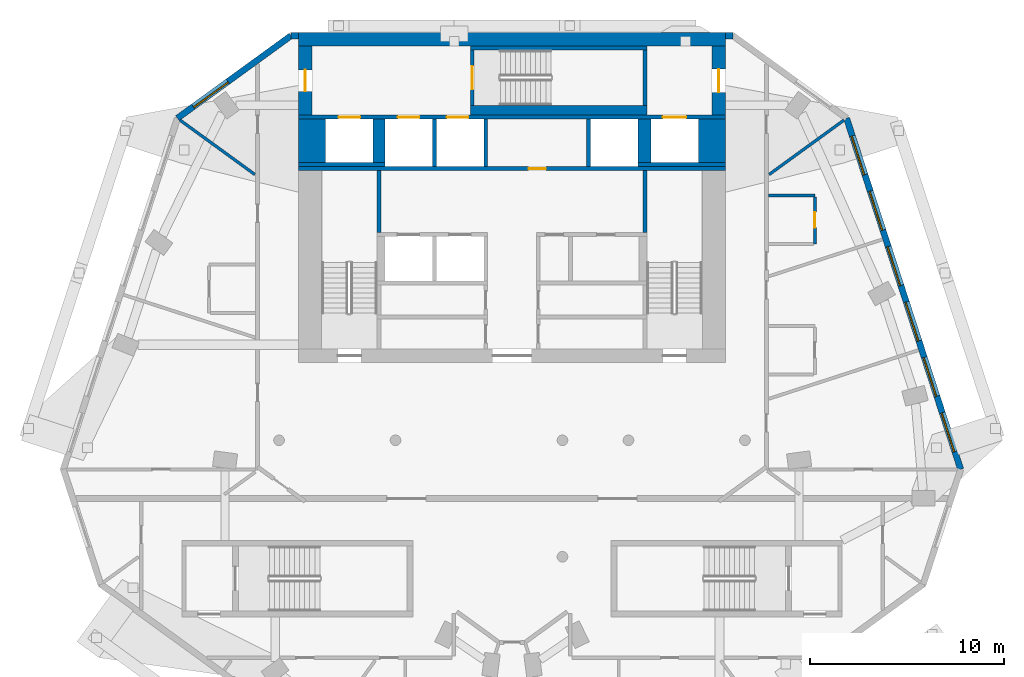
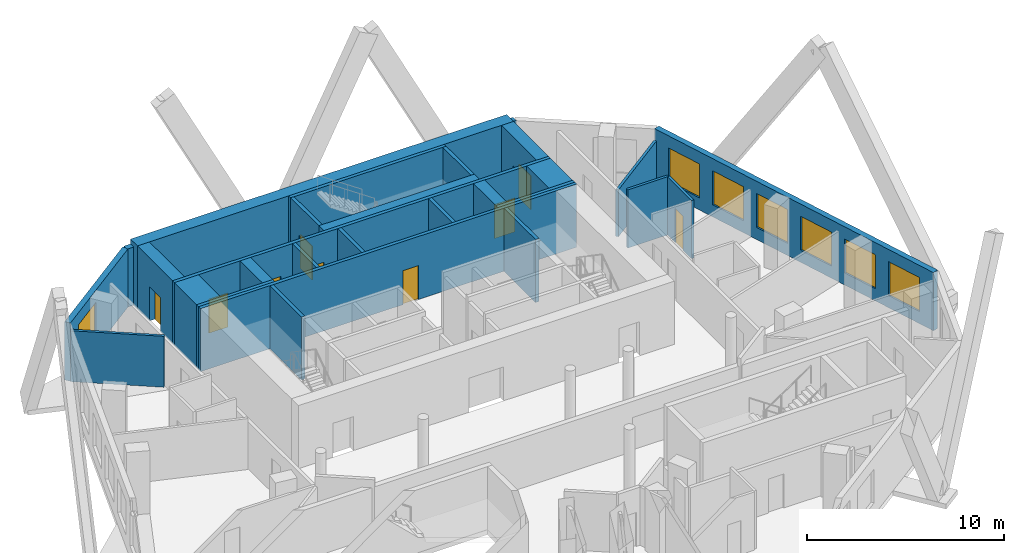
# One storey, part 6 of 9: 28 walls, 9 doors, 7 windows, 16 openings.
"""IFC4 building model written with IfcOpenShell, lengths in metres."""

from ifc_helpers import new_model, si_unit, direction, frame, frame_2d, origin, place, context, subcontext, project, spatial, rectangle, extrude, material, layer, layer_set, type_object, element, fill, save


model = new_model("IFC4")

# Units and contexts
model_context = context("Model", 3, precision=1e-05, world=origin(), true_north=direction((0.0, 1.0)))
body_context = subcontext(model_context, "Body", "Model", "MODEL_VIEW")
ifc_project = project(units=[si_unit("LENGTHUNIT", "METRE"), si_unit("AREAUNIT", "SQUARE_METRE"), si_unit("VOLUMEUNIT", "CUBIC_METRE"), si_unit("PLANEANGLEUNIT", "RADIAN"), si_unit("MASSUNIT", "GRAM", prefix="KILO")], contexts=[model_context])

# Site, building, storey
site_placement = place(None, origin())
site = spatial("IfcSite", under=ifc_project, at=site_placement, CompositionType="ELEMENT")
building_placement = place(site_placement, origin())
building = spatial("IfcBuilding", under=site, at=building_placement, Name="White Candle Pilgrim Tower", CompositionType="ELEMENT")
storey_placement = place(building_placement, frame((0.0, 0.0, 271.699951171875)))
storey = spatial("IfcBuildingStorey", under=building, at=storey_placement, Name="L64", CompositionType="ELEMENT", Elevation=271.699951171875)

# Walls
ifc_material_1 = material(Name="Concrete C50/60", Category="concrete")
ifc_layer_1 = layer(ifc_material_1, 1.39990234375)
ifc_layer_set_1 = layer_set([ifc_layer_1], Name="Core wall 1400 mm Concrete C50/60")
wall_type_1 = type_object("IfcWallType", Name="Core wall 1400 mm Concrete C50/60", PredefinedType="SHEAR", material=ifc_layer_set_1)
for number, where, z_axis, x_axis, name in (
    (1, (59.699951171875, 81.300048828125, 0.0), (0.0, 0.0, 1.0), (0.0, 1.0, 0.0), "WL-L64-C42"),
    (2, (80.300048828125, 81.300048828125, 0.0), (0.0, 0.0, 1.0), (0.0, 1.0, 0.0), "WL-L64-C45"),
):
    element("IfcWall", number, at=place(storey_placement, frame(where, z_axis=z_axis, x_axis=x_axis)), inside=storey, type_object=wall_type_1, Name=name, PredefinedType="SHEAR", context=body_context, shape_type="SweptSolid", body=[
        extrude(rectangle(XDim=2.25, YDim=1.39990234375, at=frame_2d((1.125, 0.0))), origin(), (0.0, 0.0, 1.0), 3.900146484375),
    ])
ifc_layer_2 = layer(ifc_material_1, 0.199951171875)
ifc_layer_set_2 = layer_set([ifc_layer_2], Name="Core wall 200 mm Concrete C50/60")
wall_type_2 = type_object("IfcWallType", Name="Core wall 200 mm Concrete C50/60", PredefinedType="SHEAR", material=ifc_layer_set_2)
wall_1_placement = place(storey_placement, frame((59.0, 81.199951171875, 0.0), z_axis=(0.0, 0.0, 1.0), x_axis=(1.0, 0.0, 0.0)))
element("IfcWall", 3, at=wall_1_placement, inside=storey, type_object=wall_type_2, Name="WL-L64-C37", PredefinedType="SHEAR", context=body_context, shape_type="SweptSolid", body=[
    extrude(rectangle(XDim=4.449951171875, YDim=0.199951171875, at=frame_2d((2.22509765625, 0.0))), origin(), (0.0, 0.0, 1.0), 3.900146484375),
])
wall_2_placement = place(storey_placement, frame((76.5, 81.199951171875, 0.0), z_axis=(0.0, 0.0, 1.0), x_axis=(1.0, 0.0, 0.0)))
element("IfcWall", 4, at=wall_2_placement, inside=storey, type_object=wall_type_2, Name="WL-L64-C41", PredefinedType="SHEAR", context=body_context, shape_type="SweptSolid", body=[
    extrude(rectangle(XDim=4.5, YDim=0.199951171875, at=frame_2d((2.25, 0.0))), origin(), (0.0, 0.0, 1.0), 3.900146484375),
])

# Wall, openings, doors
wall_3_placement = place(storey_placement, frame((59.0, 83.64990234375, 0.0), z_axis=(0.0, 0.0, 1.0), x_axis=(1.0, 0.0, 0.0)))
wall_3 = element("IfcWall", 5, at=wall_3_placement, inside=storey, type_object=wall_type_2, Name="WL-L64-C46", PredefinedType="SHEAR", context=body_context, shape_type="SweptSolid", body=[
    extrude(rectangle(XDim=22.0, YDim=0.199951171875, at=frame_2d((11.0, 0.0))), origin(), (0.0, 0.0, 1.0), 3.900146484375),
])
opening_1_placement = place(wall_3_placement, frame((5.125, 0.0, 0.0)))
opening_1 = element("IfcOpeningElement", 6, at=opening_1_placement, cuts=wall_3, Name="Opening T20-017", PredefinedType="OPENING", context=body_context, shape_type="SweptSolid", body=[
    extrude(rectangle(XDim=1.10009765625, YDim=2.10009765625, at=frame_2d((0.550048828125, 1.050048828125))), frame((0.0, 0.10986328125, 0.0), z_axis=(0.0, -1.0, 0.0), x_axis=(1.0, 0.0, 0.0)), (0.0, 0.0, 1.0), 0.219970703125),
])
opening_2_placement = place(wall_3_placement, frame((7.64990234375, 0.0, 0.0)))
opening_2 = element("IfcOpeningElement", 7, at=opening_2_placement, cuts=wall_3, Name="Opening T20-018", PredefinedType="OPENING", context=body_context, shape_type="SweptSolid", body=[
    extrude(rectangle(XDim=1.10009765625, YDim=2.10009765625, at=frame_2d((0.550048828125, 1.050048828125))), frame((0.0, 0.10986328125, 0.0), z_axis=(0.0, -1.0, 0.0), x_axis=(1.0, 0.0, 0.0)), (0.0, 0.0, 1.0), 0.219970703125),
])
opening_3_placement = place(wall_3_placement, frame((18.77490234375, 0.0, 0.0)))
opening_3 = element("IfcOpeningElement", 8, at=opening_3_placement, cuts=wall_3, Name="Opening T20-019", PredefinedType="OPENING", context=body_context, shape_type="SweptSolid", body=[
    extrude(rectangle(XDim=1.199951171875, YDim=2.10009765625, at=frame_2d((0.60009765625, 1.050048828125))), frame((0.0, 0.10986328125, 0.0), z_axis=(0.0, -1.0, 0.0), x_axis=(1.0, 0.0, 0.0)), (0.0, 0.0, 1.0), 0.219970703125),
])
opening_4_placement = place(wall_3_placement, frame((2.074951171875, 0.0, 0.0)))
opening_4 = element("IfcOpeningElement", 9, at=opening_4_placement, cuts=wall_3, Name="Opening T20-020", PredefinedType="OPENING", context=body_context, shape_type="SweptSolid", body=[
    extrude(rectangle(XDim=1.10009765625, YDim=2.10009765625, at=frame_2d((0.550048828125, 1.050048828125))), frame((0.0, 0.10986328125, 0.0), z_axis=(0.0, -1.0, 0.0), x_axis=(1.0, 0.0, 0.0)), (0.0, 0.0, 1.0), 0.219970703125),
])
ifc_material_2 = material(Name="Stainless steel", Category="steel")
door_type_1 = type_object("IfcDoorType", Name="Lift landing door 1100 x 2100 EI 60", OperationType="DOUBLE_DOOR_SLIDING", PredefinedType="DOOR", material=ifc_material_2)
door_1_placement = place(opening_1_placement, origin())
door_1 = element("IfcDoor", 10, at=door_1_placement, inside=storey, type_object=door_type_1, Name="Door T20-017", OperationType="DOUBLE_DOOR_SLIDING", OverallHeight=2.10009765625, OverallWidth=1.10009765625, PredefinedType="DOOR", context=body_context, shape_type="SweptSolid", body=[
    extrude(rectangle(XDim=1.10009765625, YDim=2.10009765625, at=frame_2d((0.550048828125, 1.050048828125))), frame((0.0, 0.02490234375, 0.0), z_axis=(0.0, -1.0, 0.0), x_axis=(1.0, 0.0, 0.0)), (0.0, 0.0, 1.0), 0.050048828125),
])
fill(opening_1, door_1)
door_2_placement = place(opening_2_placement, origin())
door_2 = element("IfcDoor", 11, at=door_2_placement, inside=storey, type_object=door_type_1, Name="Door T20-018", OperationType="DOUBLE_DOOR_SLIDING", OverallHeight=2.10009765625, OverallWidth=1.10009765625, PredefinedType="DOOR", context=body_context, shape_type="SweptSolid", body=[
    extrude(rectangle(XDim=1.10009765625, YDim=2.10009765625, at=frame_2d((0.550048828125, 1.050048828125))), frame((0.0, 0.02490234375, 0.0), z_axis=(0.0, -1.0, 0.0), x_axis=(1.0, 0.0, 0.0)), (0.0, 0.0, 1.0), 0.050048828125),
])
fill(opening_2, door_2)
door_3_placement = place(opening_4_placement, origin())
door_3 = element("IfcDoor", 12, at=door_3_placement, inside=storey, type_object=door_type_1, Name="Door T20-020", OperationType="DOUBLE_DOOR_SLIDING", OverallHeight=2.10009765625, OverallWidth=1.10009765625, PredefinedType="DOOR", context=body_context, shape_type="SweptSolid", body=[
    extrude(rectangle(XDim=1.10009765625, YDim=2.10009765625, at=frame_2d((0.550048828125, 1.050048828125))), frame((0.0, 0.02490234375, 0.0), z_axis=(0.0, -1.0, 0.0), x_axis=(1.0, 0.0, 0.0)), (0.0, 0.0, 1.0), 0.050048828125),
])
fill(opening_4, door_3)
door_type_2 = type_object("IfcDoorType", Name="Lift landing door 1200 x 2100 E 60", OperationType="DOUBLE_DOOR_SLIDING", PredefinedType="DOOR", material=ifc_material_2)
door_4_placement = place(opening_3_placement, origin())
door_4 = element("IfcDoor", 13, at=door_4_placement, inside=storey, type_object=door_type_2, Name="Door T20-019", OperationType="DOUBLE_DOOR_SLIDING", OverallHeight=2.10009765625, OverallWidth=1.199951171875, PredefinedType="DOOR", context=body_context, shape_type="SweptSolid", body=[
    extrude(rectangle(XDim=1.199951171875, YDim=2.10009765625, at=frame_2d((0.60009765625, 1.050048828125))), frame((0.0, 0.02490234375, 0.0), z_axis=(0.0, -1.0, 0.0), x_axis=(1.0, 0.0, 0.0)), (0.0, 0.0, 1.0), 0.050048828125),
])
fill(opening_3, door_4)

# Wall, opening, door
ifc_layer_3 = layer(ifc_material_1, 0.699951171875)
ifc_layer_set_3 = layer_set([ifc_layer_3], Name="Core wall 700 mm Concrete C50/60")
wall_type_3 = type_object("IfcWallType", Name="Core wall 700 mm Concrete C50/60", PredefinedType="SHEAR", material=ifc_layer_set_3)
wall_4_placement = place(storey_placement, frame((59.35009765625, 83.75, 0.0), z_axis=(0.0, 0.0, 1.0), x_axis=(0.0, 1.0, 0.0)))
wall_4 = element("IfcWall", 14, at=wall_4_placement, inside=storey, type_object=wall_type_3, Name="WL-L64-C47", PredefinedType="SHEAR", context=body_context, shape_type="SweptSolid", body=[
    extrude(rectangle(XDim=3.550048828125, YDim=0.699951171875, at=frame_2d((1.77490234375, 0.0))), origin(), (0.0, 0.0, 1.0), 3.900146484375),
])
opening_5_placement = place(wall_4_placement, frame((1.22509765625, 0.0, 0.0)))
opening_5 = element("IfcOpeningElement", 15, at=opening_5_placement, cuts=wall_4, Name="Opening T20-009", PredefinedType="OPENING", context=body_context, shape_type="SweptSolid", body=[
    extrude(rectangle(XDim=1.10009765625, YDim=2.10009765625, at=frame_2d((0.550048828125, 1.050048828125))), frame((0.0, 0.35986328125, 0.0), z_axis=(0.0, -1.0, 0.0), x_axis=(1.0, 0.0, 0.0)), (0.0, 0.0, 1.0), 0.719970703125),
])
ifc_material_3 = material(Name="Steel door leaf", Category="steel")
door_type_3 = type_object("IfcDoorType", Name="Fire door 1100 x 2100 EI 60", OperationType="NOTDEFINED", PredefinedType="DOOR", material=ifc_material_3)
door_5_placement = place(opening_5_placement, origin())
door_5 = element("IfcDoor", 16, at=door_5_placement, inside=storey, type_object=door_type_3, Name="Door T20-009", OperationType="SINGLE_SWING_LEFT", OverallHeight=2.10009765625, OverallWidth=1.10009765625, PredefinedType="DOOR", context=body_context, shape_type="SweptSolid", body=[
    extrude(rectangle(XDim=1.10009765625, YDim=2.10009765625, at=frame_2d((0.550048828125, 1.050048828125))), frame((0.0, 0.02490234375, 0.0), z_axis=(0.0, -1.0, 0.0), x_axis=(1.0, 0.0, 0.0)), (0.0, 0.0, 1.0), 0.050048828125),
])
fill(opening_5, door_5)

wall_5_placement = place(storey_placement, frame((80.64990234375, 83.75, 0.0), z_axis=(0.0, 0.0, 1.0), x_axis=(0.0, 1.0, 0.0)))
wall_5 = element("IfcWall", 17, at=wall_5_placement, inside=storey, type_object=wall_type_3, Name="WL-L64-C49", PredefinedType="SHEAR", context=body_context, shape_type="SweptSolid", body=[
    extrude(rectangle(XDim=3.550048828125, YDim=0.699951171875, at=frame_2d((1.77490234375, 0.0))), origin(), (0.0, 0.0, 1.0), 3.900146484375),
])
opening_6_placement = place(wall_5_placement, frame((1.175048828125, 0.0, 0.0)))
opening_6 = element("IfcOpeningElement", 18, at=opening_6_placement, cuts=wall_5, Name="Opening T20-010", PredefinedType="OPENING", context=body_context, shape_type="SweptSolid", body=[
    extrude(rectangle(XDim=1.199951171875, YDim=2.10009765625, at=frame_2d((0.60009765625, 1.050048828125))), frame((0.0, 0.35986328125, 0.0), z_axis=(0.0, -1.0, 0.0), x_axis=(1.0, 0.0, 0.0)), (0.0, 0.0, 1.0), 0.719970703125),
])
door_type_4 = type_object("IfcDoorType", Name="Fire door 1200 x 2100 EI 30", OperationType="NOTDEFINED", PredefinedType="DOOR", material=ifc_material_3)
door_6_placement = place(opening_6_placement, origin())
door_6 = element("IfcDoor", 19, at=door_6_placement, inside=storey, type_object=door_type_4, Name="Door T20-010", OperationType="SINGLE_SWING_RIGHT", OverallHeight=2.10009765625, OverallWidth=1.199951171875, PredefinedType="DOOR", context=body_context, shape_type="SweptSolid", body=[
    extrude(rectangle(XDim=1.199951171875, YDim=2.10009765625, at=frame_2d((0.60009765625, 1.050048828125))), frame((0.0, 0.02490234375, 0.0), z_axis=(0.0, -1.0, 0.0), x_axis=(1.0, 0.0, 0.0)), (0.0, 0.0, 1.0), 0.050048828125),
])
fill(opening_6, door_6)

# Wall
wall_6_placement = place(storey_placement, frame((59.0, 87.64990234375, 0.0), z_axis=(0.0, 0.0, 1.0), x_axis=(1.0, 0.0, 0.0)))
element("IfcWall", 20, at=wall_6_placement, inside=storey, type_object=wall_type_3, Name="WL-L64-C53", PredefinedType="SHEAR", context=body_context, shape_type="SweptSolid", body=[
    extrude(rectangle(XDim=22.0, YDim=0.699951171875, at=frame_2d((11.0, 0.0))), origin(), (0.0, 0.0, 1.0), 3.900146484375),
])

# Wall, openings, windows
ifc_material_4 = material(Name="Precast concrete C40/50", Category="concrete")
ifc_layer_4 = layer(ifc_material_4, 0.320068359375)
ifc_layer_set_4 = layer_set([ifc_layer_4], Name="Facade wall EW1 precast concrete C40/50 pier wall with timber-lined reveals")
wall_type_4 = type_object("IfcWallType", Name="Facade wall EW1 precast concrete C40/50 pier wall with timber-lined reveals", PredefinedType="SOLIDWALL", material=ifc_layer_set_4)
wall_7_placement = place(storey_placement, frame((93.1103515625, 65.50634765625, 0.0), z_axis=(0.0, 0.0, 1.0), x_axis=(-0.309027135181, 0.951053221288, 0.0)))
wall_7 = element("IfcWall", 21, at=wall_7_placement, inside=storey, type_object=wall_type_4, Name="Facade wall L64 ENE", PredefinedType="SOLIDWALL", context=body_context, shape_type="SweptSolid", body=[
    extrude(rectangle(XDim=19.014404296875, YDim=0.320068359375, at=frame_2d((9.50732421875, 0.0))), origin(), (0.0, 0.0, 1.0), 3.60009765625),
])
opening_7_placement = place(wall_7_placement, frame((0.957275390625, 0.0, 0.75)))
opening_7 = element("IfcOpeningElement", 22, at=opening_7_placement, cuts=wall_7, Name="Opening W3", PredefinedType="OPENING", context=body_context, shape_type="SweptSolid", body=[
    extrude(rectangle(XDim=2.10009765625, YDim=2.10009765625, at=frame_2d((1.050048828125, 1.050048828125))), frame((0.0, 0.169921875, 0.0), z_axis=(0.0, -1.0, 0.0), x_axis=(1.0, 0.0, 0.0)), (0.0, 0.0, 1.0), 0.340087890625),
])
opening_8_placement = place(wall_7_placement, frame((3.957275390625, 0.0, 0.75)))
opening_8 = element("IfcOpeningElement", 23, at=opening_8_placement, cuts=wall_7, Name="Opening W3", PredefinedType="OPENING", context=body_context, shape_type="SweptSolid", body=[
    extrude(rectangle(XDim=2.10009765625, YDim=2.10009765625, at=frame_2d((1.050048828125, 1.050048828125))), frame((0.0, 0.169921875, 0.0), z_axis=(0.0, -1.0, 0.0), x_axis=(1.0, 0.0, 0.0)), (0.0, 0.0, 1.0), 0.340087890625),
])
opening_9_placement = place(wall_7_placement, frame((6.957275390625, 0.0, 0.75)))
opening_9 = element("IfcOpeningElement", 24, at=opening_9_placement, cuts=wall_7, Name="Opening W3", PredefinedType="OPENING", context=body_context, shape_type="SweptSolid", body=[
    extrude(rectangle(XDim=2.10009765625, YDim=2.10009765625, at=frame_2d((1.050048828125, 1.050048828125))), frame((0.0, 0.169921875, 0.0), z_axis=(0.0, -1.0, 0.0), x_axis=(1.0, 0.0, 0.0)), (0.0, 0.0, 1.0), 0.340087890625),
])
opening_10_placement = place(wall_7_placement, frame((9.957275390625, 0.0, 0.75)))
opening_10 = element("IfcOpeningElement", 25, at=opening_10_placement, cuts=wall_7, Name="Opening W3", PredefinedType="OPENING", context=body_context, shape_type="SweptSolid", body=[
    extrude(rectangle(XDim=2.10009765625, YDim=2.10009765625, at=frame_2d((1.050048828125, 1.050048828125))), frame((0.0, 0.169921875, 0.0), z_axis=(0.0, -1.0, 0.0), x_axis=(1.0, 0.0, 0.0)), (0.0, 0.0, 1.0), 0.340087890625),
])
opening_11_placement = place(wall_7_placement, frame((12.957275390625, 0.0, 0.75)))
opening_11 = element("IfcOpeningElement", 26, at=opening_11_placement, cuts=wall_7, Name="Opening W3", PredefinedType="OPENING", context=body_context, shape_type="SweptSolid", body=[
    extrude(rectangle(XDim=2.10009765625, YDim=2.10009765625, at=frame_2d((1.050048828125, 1.050048828125))), frame((0.0, 0.169921875, 0.0), z_axis=(0.0, -1.0, 0.0), x_axis=(1.0, 0.0, 0.0)), (0.0, 0.0, 1.0), 0.340087890625),
])
opening_12_placement = place(wall_7_placement, frame((15.957275390625, 0.0, 0.75)))
opening_12 = element("IfcOpeningElement", 27, at=opening_12_placement, cuts=wall_7, Name="Opening W3", PredefinedType="OPENING", context=body_context, shape_type="SweptSolid", body=[
    extrude(rectangle(XDim=2.10009765625, YDim=2.10009765625, at=frame_2d((1.050048828125, 1.050048828125))), frame((0.0, 0.169921875, 0.0), z_axis=(0.0, -1.0, 0.0), x_axis=(1.0, 0.0, 0.0)), (0.0, 0.0, 1.0), 0.340087890625),
])
ifc_material_5 = material(Name="Timber frame with triple glazing", Category="wood")
window_type_1 = type_object("IfcWindowType", Name="Window W3 2100x2100 timber frame triple glazing", PartitioningType="SINGLE_PANEL", PredefinedType="WINDOW", material=ifc_material_5)
window_1_placement = place(opening_7_placement, origin())
window_1 = element("IfcWindow", 28, at=window_1_placement, inside=storey, type_object=window_type_1, Name="Window W3 L64 ENE 1", OverallHeight=2.10009765625, OverallWidth=2.10009765625, PartitioningType="SINGLE_PANEL", PredefinedType="WINDOW", context=body_context, shape_type="SweptSolid", body=[
    extrude(rectangle(XDim=2.10009765625, YDim=2.10009765625, at=frame_2d((1.050048828125, 1.050048828125))), frame((0.0, 0.070068359375, 0.0), z_axis=(0.0, -1.0, 0.0), x_axis=(1.0, 0.0, 0.0)), (0.0, 0.0, 1.0), 0.06005859375),
])
fill(opening_7, window_1)
window_2_placement = place(opening_8_placement, origin())
window_2 = element("IfcWindow", 29, at=window_2_placement, inside=storey, type_object=window_type_1, Name="Window W3 L64 ENE 2", OverallHeight=2.10009765625, OverallWidth=2.10009765625, PartitioningType="SINGLE_PANEL", PredefinedType="WINDOW", context=body_context, shape_type="SweptSolid", body=[
    extrude(rectangle(XDim=2.10009765625, YDim=2.10009765625, at=frame_2d((1.050048828125, 1.050048828125))), frame((0.0, 0.070068359375, 0.0), z_axis=(0.0, -1.0, 0.0), x_axis=(1.0, 0.0, 0.0)), (0.0, 0.0, 1.0), 0.06005859375),
])
fill(opening_8, window_2)
window_3_placement = place(opening_9_placement, origin())
window_3 = element("IfcWindow", 30, at=window_3_placement, inside=storey, type_object=window_type_1, Name="Window W3 L64 ENE 3", OverallHeight=2.10009765625, OverallWidth=2.10009765625, PartitioningType="SINGLE_PANEL", PredefinedType="WINDOW", context=body_context, shape_type="SweptSolid", body=[
    extrude(rectangle(XDim=2.10009765625, YDim=2.10009765625, at=frame_2d((1.050048828125, 1.050048828125))), frame((0.0, 0.070068359375, 0.0), z_axis=(0.0, -1.0, 0.0), x_axis=(1.0, 0.0, 0.0)), (0.0, 0.0, 1.0), 0.06005859375),
])
fill(opening_9, window_3)
window_4_placement = place(opening_10_placement, origin())
window_4 = element("IfcWindow", 31, at=window_4_placement, inside=storey, type_object=window_type_1, Name="Window W3 L64 ENE 4", OverallHeight=2.10009765625, OverallWidth=2.10009765625, PartitioningType="SINGLE_PANEL", PredefinedType="WINDOW", context=body_context, shape_type="SweptSolid", body=[
    extrude(rectangle(XDim=2.10009765625, YDim=2.10009765625, at=frame_2d((1.050048828125, 1.050048828125))), frame((0.0, 0.070068359375, 0.0), z_axis=(0.0, -1.0, 0.0), x_axis=(1.0, 0.0, 0.0)), (0.0, 0.0, 1.0), 0.06005859375),
])
fill(opening_10, window_4)
window_5_placement = place(opening_11_placement, origin())
window_5 = element("IfcWindow", 32, at=window_5_placement, inside=storey, type_object=window_type_1, Name="Window W3 L64 ENE 5", OverallHeight=2.10009765625, OverallWidth=2.10009765625, PartitioningType="SINGLE_PANEL", PredefinedType="WINDOW", context=body_context, shape_type="SweptSolid", body=[
    extrude(rectangle(XDim=2.10009765625, YDim=2.10009765625, at=frame_2d((1.050048828125, 1.050048828125))), frame((0.0, 0.070068359375, 0.0), z_axis=(0.0, -1.0, 0.0), x_axis=(1.0, 0.0, 0.0)), (0.0, 0.0, 1.0), 0.06005859375),
])
fill(opening_11, window_5)
window_6_placement = place(opening_12_placement, origin())
window_6 = element("IfcWindow", 33, at=window_6_placement, inside=storey, type_object=window_type_1, Name="Window W3 L64 ENE 6", OverallHeight=2.10009765625, OverallWidth=2.10009765625, PartitioningType="SINGLE_PANEL", PredefinedType="WINDOW", context=body_context, shape_type="SweptSolid", body=[
    extrude(rectangle(XDim=2.10009765625, YDim=2.10009765625, at=frame_2d((1.050048828125, 1.050048828125))), frame((0.0, 0.070068359375, 0.0), z_axis=(0.0, -1.0, 0.0), x_axis=(1.0, 0.0, 0.0)), (0.0, 0.0, 1.0), 0.06005859375),
])
fill(opening_12, window_6)

# Walls
for number, where, z_axis, x_axis, name in (
    (34, (81.385009765625, 87.840087890625, 0.0), (0.0, 0.0, 1.0), (-1.0, 0.0, 0.0), "Facade wall L64 N"),
    (35, (59.0, 87.840087890625, 0.0), (0.0, 0.0, 1.0), (-1.0, 0.0, 0.0), "Facade wall L64 N"),
):
    element("IfcWall", number, at=place(storey_placement, frame(where, z_axis=z_axis, x_axis=x_axis)), inside=storey, type_object=wall_type_4, Name=name, PredefinedType="SOLIDWALL", context=body_context, shape_type="SweptSolid", body=[
        extrude(rectangle(XDim=0.385009765625, YDim=0.320068359375, at=frame_2d((0.1923828125, 0.0))), origin(), (0.0, 0.0, 1.0), 3.60009765625),
    ])

# Wall, opening, window
wall_8_placement = place(storey_placement, frame((58.614990234375, 87.840087890625, 0.0), z_axis=(0.0, 0.0, 1.0), x_axis=(-0.809004669464, -0.587802215703, 0.0)))
wall_8 = element("IfcWall", 36, at=wall_8_placement, inside=storey, type_object=wall_type_4, Name="Facade wall L64 NW chamfer", PredefinedType="SOLIDWALL", context=body_context, shape_type="SweptSolid", body=[
    extrude(rectangle(XDim=7.230224609375, YDim=0.320068359375, at=frame_2d((3.615234375, 0.0))), origin(), (0.0, 0.0, 1.0), 3.60009765625),
])
opening_13_placement = place(wall_8_placement, frame((4.01513671875, 0.0, 0.75)))
opening_13 = element("IfcOpeningElement", 37, at=opening_13_placement, cuts=wall_8, Name="Opening W4", PredefinedType="OPENING", context=body_context, shape_type="SweptSolid", body=[
    extrude(rectangle(XDim=2.199951171875, YDim=2.10009765625, at=frame_2d((1.10009765625, 1.050048828125))), frame((0.0, 0.169921875, 0.0), z_axis=(0.0, -1.0, 0.0), x_axis=(1.0, 0.0, 0.0)), (0.0, 0.0, 1.0), 0.340087890625),
])
window_type_2 = type_object("IfcWindowType", Name="Window W4 2200x2100 timber frame triple glazing", PartitioningType="SINGLE_PANEL", PredefinedType="WINDOW", material=ifc_material_5)
window_7_placement = place(opening_13_placement, origin())
window_7 = element("IfcWindow", 38, at=window_7_placement, inside=storey, type_object=window_type_2, Name="Window W4 L64 NW chamfer 2", OverallHeight=2.10009765625, OverallWidth=2.199951171875, PartitioningType="SINGLE_PANEL", PredefinedType="WINDOW", context=body_context, shape_type="SweptSolid", body=[
    extrude(rectangle(XDim=2.199951171875, YDim=2.10009765625, at=frame_2d((1.10009765625, 1.050048828125))), frame((0.0, 0.070068359375, 0.0), z_axis=(0.0, -1.0, 0.0), x_axis=(1.0, 0.0, 0.0)), (0.0, 0.0, 1.0), 0.06005859375),
])
fill(opening_13, window_7)

# Walls
ifc_material_6 = material(Name="Gypsum board on steel studs", Category="steel")
ifc_layer_5 = layer(ifc_material_6, 0.14990234375)
ifc_layer_set_5 = layer_set([ifc_layer_5], Name="Partition 150 mm EI 60")
wall_type_5 = type_object("IfcWallType", Name="Partition 150 mm EI 60", PredefinedType="PARTITIONING", material=ifc_layer_set_5)
wall_9_placement = place(storey_placement, frame((52.901611328125, 83.4912109375, 0.0), z_axis=(0.0, 0.0, 1.0), x_axis=(0.809015212762, -0.587787704464, 0.0)))
element("IfcWall", 39, at=wall_9_placement, inside=storey, type_object=wall_type_5, Name="WL-L64-P015", PredefinedType="PARTITIONING", context=body_context, shape_type="SweptSolid", body=[
    extrude(rectangle(XDim=4.76416015625, YDim=0.14990234375, at=frame_2d((2.382080078125, 0.0))), origin(), (0.0, 0.0, 1.0), 3.150146484375),
])
wall_10_placement = place(storey_placement, frame((87.098388671875, 83.4912109375, 0.0), z_axis=(0.0, 0.0, 1.0), x_axis=(-0.809015212762, -0.587787704464, 0.0)))
element("IfcWall", 40, at=wall_10_placement, inside=storey, type_object=wall_type_5, Name="WL-L64-P024", PredefinedType="PARTITIONING", context=body_context, shape_type="SweptSolid", body=[
    extrude(rectangle(XDim=4.76416015625, YDim=0.14990234375, at=frame_2d((2.382080078125, 0.0))), origin(), (0.0, 0.0, 1.0), 2.900146484375),
])
wall_11_placement = place(storey_placement, frame((83.199951171875, 79.6044921875, 0.0), z_axis=(0.0, 0.0, 1.0), x_axis=(1.0, 0.0, 0.0)))
element("IfcWall", 41, at=wall_11_placement, inside=storey, type_object=wall_type_5, Name="WL-L64-P041", PredefinedType="PARTITIONING", context=body_context, shape_type="SweptSolid", body=[
    extrude(rectangle(XDim=2.400146484375, YDim=0.14990234375, at=frame_2d((1.2001953125, 0.0))), origin(), (0.0, 0.0, 1.0), 3.60009765625),
])

# Wall, opening, door
wall_12_placement = place(storey_placement, frame((85.60009765625, 77.1044921875, 0.0), z_axis=(0.0, 0.0, 1.0), x_axis=(0.0, 1.0, 0.0)))
wall_12 = element("IfcWall", 42, at=wall_12_placement, inside=storey, type_object=wall_type_5, Name="WL-L64-P042", PredefinedType="PARTITIONING", context=body_context, shape_type="SweptSolid", body=[
    extrude(rectangle(XDim=2.425048828125, YDim=0.14990234375, at=frame_2d((1.21240234375, 0.0))), origin(), (0.0, 0.0, 1.0), 3.60009765625),
])
opening_14_placement = place(wall_12_placement, frame((0.85009765625, 0.0, 0.0)))
opening_14 = element("IfcOpeningElement", 43, at=opening_14_placement, cuts=wall_12, Name="Opening T20-110", PredefinedType="OPENING", context=body_context, shape_type="SweptSolid", body=[
    extrude(rectangle(XDim=0.800048828125, YDim=2.10009765625, at=frame_2d((0.39990234375, 1.050048828125))), frame((0.0, 0.0849609375, 0.0), z_axis=(0.0, -1.0, 0.0), x_axis=(1.0, 0.0, 0.0)), (0.0, 0.0, 1.0), 0.169921875),
])
door_type_5 = type_object("IfcDoorType", Name="Fire door 800 x 2100 EI 30", OperationType="NOTDEFINED", PredefinedType="DOOR", material=ifc_material_3)
door_7_placement = place(opening_14_placement, frame((0.800048828125, 0.0, 0.0), z_axis=(0.0, 0.0, 1.0), x_axis=(-1.0, 0.0, 0.0)))
door_7 = element("IfcDoor", 44, at=door_7_placement, inside=storey, type_object=door_type_5, Name="Door T20-110", OperationType="SINGLE_SWING_LEFT", OverallHeight=2.10009765625, OverallWidth=0.800048828125, PredefinedType="DOOR", context=body_context, shape_type="SweptSolid", body=[
    extrude(rectangle(XDim=0.800048828125, YDim=2.10009765625, at=frame_2d((0.39990234375, 1.050048828125))), frame((0.0, 0.02490234375, 0.0), z_axis=(0.0, -1.0, 0.0), x_axis=(1.0, 0.0, 0.0)), (0.0, 0.0, 1.0), 0.050048828125),
])
fill(opening_14, door_7)

# Walls
ifc_layer_6 = layer(ifc_material_1, 0.199951171875)
ifc_layer_set_6 = layer_set([ifc_layer_6], Name="Shaft wall 200 mm Concrete C50/60")
wall_type_6 = type_object("IfcWallType", Name="Shaft wall 200 mm Concrete C50/60", PredefinedType="SHEAR", material=ifc_layer_set_6)
for number, where, z_axis, x_axis, name in (
    (45, (66.0, 81.10009765625, 0.0), (0.0, 0.0, 1.0), (0.0, 1.0, 0.0), "WL-L64-C38"),
    (46, (68.64990234375, 81.10009765625, 0.0), (0.0, 0.0, 1.0), (0.0, 1.0, 0.0), "WL-L64-C39"),
    (47, (73.949951171875, 81.10009765625, 0.0), (0.0, 0.0, 1.0), (0.0, 1.0, 0.0), "WL-L64-C40"),
):
    element("IfcWall", number, at=place(storey_placement, frame(where, z_axis=z_axis, x_axis=x_axis)), inside=storey, type_object=wall_type_6, Name=name, PredefinedType="SHEAR", context=body_context, shape_type="SweptSolid", body=[
        extrude(rectangle(XDim=2.449951171875, YDim=0.199951171875, at=frame_2d((1.22509765625, 0.0))), origin(), (0.0, 0.0, 1.0), 3.900146484375),
    ])
ifc_layer_7 = layer(ifc_material_1, 0.60009765625)
ifc_layer_set_7 = layer_set([ifc_layer_7], Name="Shaft wall 600 mm Concrete C50/60")
wall_type_7 = type_object("IfcWallType", Name="Shaft wall 600 mm Concrete C50/60", PredefinedType="SHEAR", material=ifc_layer_set_7)
wall_13_placement = place(storey_placement, frame((63.14990234375, 81.300048828125, 0.0), z_axis=(0.0, 0.0, 1.0), x_axis=(0.0, 1.0, 0.0)))
element("IfcWall", 48, at=wall_13_placement, inside=storey, type_object=wall_type_7, Name="WL-L64-C43", PredefinedType="SHEAR", context=body_context, shape_type="SweptSolid", body=[
    extrude(rectangle(XDim=2.25, YDim=0.60009765625, at=frame_2d((1.125, 0.0))), origin(), (0.0, 0.0, 1.0), 3.900146484375),
])
ifc_layer_8 = layer(ifc_material_1, 0.64990234375)
ifc_layer_set_8 = layer_set([ifc_layer_8], Name="Shaft wall 650 mm Concrete C50/60")
wall_type_8 = type_object("IfcWallType", Name="Shaft wall 650 mm Concrete C50/60", PredefinedType="SHEAR", material=ifc_layer_set_8)
wall_14_placement = place(storey_placement, frame((76.824951171875, 81.300048828125, 0.0), z_axis=(0.0, 0.0, 1.0), x_axis=(0.0, 1.0, 0.0)))
element("IfcWall", 49, at=wall_14_placement, inside=storey, type_object=wall_type_8, Name="WL-L64-C44", PredefinedType="SHEAR", context=body_context, shape_type="SweptSolid", body=[
    extrude(rectangle(XDim=2.25, YDim=0.64990234375, at=frame_2d((1.125, 0.0))), origin(), (0.0, 0.0, 1.0), 3.900146484375),
])
ifc_layer_9 = layer(ifc_material_1, 0.199951171875)
ifc_layer_set_9 = layer_set([ifc_layer_9], Name="Stair shaft wall 200 mm Concrete C50/60")
wall_type_9 = type_object("IfcWallType", Name="Stair shaft wall 200 mm Concrete C50/60", PredefinedType="SHEAR", material=ifc_layer_set_9)
for number, where, z_axis, x_axis, name in (
    (50, (63.14990234375, 77.699951171875, 0.0), (0.0, 0.0, 1.0), (0.0, 1.0, 0.0), "WL-L64-C34"),
    (51, (76.85009765625, 77.699951171875, 0.0), (0.0, 0.0, 1.0), (0.0, 1.0, 0.0), "WL-L64-C35"),
):
    element("IfcWall", number, at=place(storey_placement, frame(where, z_axis=z_axis, x_axis=x_axis)), inside=storey, type_object=wall_type_9, Name=name, PredefinedType="SHEAR", context=body_context, shape_type="SweptSolid", body=[
        extrude(rectangle(XDim=3.199951171875, YDim=0.199951171875, at=frame_2d((1.60009765625, 0.0))), origin(), (0.0, 0.0, 1.0), 3.900146484375),
    ])

# Wall, opening, door
wall_15_placement = place(storey_placement, frame((59.0, 81.0, 0.0), z_axis=(0.0, 0.0, 1.0), x_axis=(1.0, 0.0, 0.0)))
wall_15 = element("IfcWall", 52, at=wall_15_placement, inside=storey, type_object=wall_type_9, Name="WL-L64-C36", PredefinedType="SHEAR", context=body_context, shape_type="SweptSolid", body=[
    extrude(rectangle(XDim=22.0, YDim=0.199951171875, at=frame_2d((11.0, 0.0))), origin(), (0.0, 0.0, 1.0), 3.900146484375),
])
opening_15_placement = place(wall_15_placement, frame((11.85009765625, 0.0, 0.0)))
opening_15 = element("IfcOpeningElement", 53, at=opening_15_placement, cuts=wall_15, Name="Opening T20-023", PredefinedType="OPENING", context=body_context, shape_type="SweptSolid", body=[
    extrude(rectangle(XDim=0.89990234375, YDim=2.10009765625, at=frame_2d((0.449951171875, 1.050048828125))), frame((0.0, 0.10986328125, 0.0), z_axis=(0.0, -1.0, 0.0), x_axis=(1.0, 0.0, 0.0)), (0.0, 0.0, 1.0), 0.219970703125),
])
door_type_6 = type_object("IfcDoorType", Name="Fire door 900 x 2100 EI 30", OperationType="NOTDEFINED", PredefinedType="DOOR", material=ifc_material_3)
door_8_placement = place(opening_15_placement, origin())
door_8 = element("IfcDoor", 54, at=door_8_placement, inside=storey, type_object=door_type_6, Name="Door T20-023", OperationType="SINGLE_SWING_LEFT", OverallHeight=2.10009765625, OverallWidth=0.89990234375, PredefinedType="DOOR", context=body_context, shape_type="SweptSolid", body=[
    extrude(rectangle(XDim=0.89990234375, YDim=2.10009765625, at=frame_2d((0.449951171875, 1.050048828125))), frame((0.0, 0.02490234375, 0.0), z_axis=(0.0, -1.0, 0.0), x_axis=(1.0, 0.0, 0.0)), (0.0, 0.0, 1.0), 0.050048828125),
])
fill(opening_15, door_8)

wall_16_placement = place(storey_placement, frame((67.949951171875, 84.25, 0.0), z_axis=(0.0, 0.0, 1.0), x_axis=(0.0, 1.0, 0.0)))
wall_16 = element("IfcWall", 55, at=wall_16_placement, inside=storey, type_object=wall_type_9, Name="WL-L64-C50", PredefinedType="SHEAR", context=body_context, shape_type="SweptSolid", body=[
    extrude(rectangle(XDim=2.85009765625, YDim=0.199951171875, at=frame_2d((1.425048828125, 0.0))), origin(), (0.0, 0.0, 1.0), 3.900146484375),
])
opening_16_placement = place(wall_16_placement, frame((0.824951171875, 0.0, 0.0)))
opening_16 = element("IfcOpeningElement", 56, at=opening_16_placement, cuts=wall_16, Name="Opening T20-003", PredefinedType="OPENING", context=body_context, shape_type="SweptSolid", body=[
    extrude(rectangle(XDim=1.199951171875, YDim=2.10009765625, at=frame_2d((0.60009765625, 1.050048828125))), frame((0.0, 0.10986328125, 0.0), z_axis=(0.0, -1.0, 0.0), x_axis=(1.0, 0.0, 0.0)), (0.0, 0.0, 1.0), 0.219970703125),
])
door_type_7 = type_object("IfcDoorType", Name="Fire door 1200 x 2100 EI 60", OperationType="NOTDEFINED", PredefinedType="DOOR", material=ifc_material_3)
door_9_placement = place(opening_16_placement, frame((1.199951171875, 0.0, 0.0), z_axis=(0.0, 0.0, 1.0), x_axis=(-1.0, 0.0, 0.0)))
door_9 = element("IfcDoor", 57, at=door_9_placement, inside=storey, type_object=door_type_7, Name="Door T20-003", OperationType="SINGLE_SWING_RIGHT", OverallHeight=2.10009765625, OverallWidth=1.199951171875, PredefinedType="DOOR", context=body_context, shape_type="SweptSolid", body=[
    extrude(rectangle(XDim=1.199951171875, YDim=2.10009765625, at=frame_2d((0.60009765625, 1.050048828125))), frame((0.0, 0.02490234375, 0.0), z_axis=(0.0, -1.0, 0.0), x_axis=(1.0, 0.0, 0.0)), (0.0, 0.0, 1.0), 0.050048828125),
])
fill(opening_16, door_9)

# Walls
wall_17_placement = place(storey_placement, frame((76.85009765625, 84.25, 0.0), z_axis=(0.0, 0.0, 1.0), x_axis=(0.0, 1.0, 0.0)))
element("IfcWall", 58, at=wall_17_placement, inside=storey, type_object=wall_type_9, Name="WL-L64-C51", PredefinedType="SHEAR", context=body_context, shape_type="SweptSolid", body=[
    extrude(rectangle(XDim=2.85009765625, YDim=0.199951171875, at=frame_2d((1.425048828125, 0.0))), origin(), (0.0, 0.0, 1.0), 3.900146484375),
])
wall_18_placement = place(storey_placement, frame((67.85009765625, 87.199951171875, 0.0), z_axis=(0.0, 0.0, 1.0), x_axis=(1.0, 0.0, 0.0)))
element("IfcWall", 59, at=wall_18_placement, inside=storey, type_object=wall_type_9, Name="WL-L64-C52", PredefinedType="SHEAR", context=body_context, shape_type="SweptSolid", body=[
    extrude(rectangle(XDim=9.099853515625, YDim=0.199951171875, at=frame_2d((4.5498046875, 0.0))), origin(), (0.0, 0.0, 1.0), 3.900146484375),
])
ifc_layer_10 = layer(ifc_material_1, 0.5)
ifc_layer_set_10 = layer_set([ifc_layer_10], Name="Stair shaft wall 500 mm Concrete C50/60")
wall_type_10 = type_object("IfcWallType", Name="Stair shaft wall 500 mm Concrete C50/60", PredefinedType="SHEAR", material=ifc_layer_set_10)
wall_19_placement = place(storey_placement, frame((67.85009765625, 84.0, 0.0), z_axis=(0.0, 0.0, 1.0), x_axis=(1.0, 0.0, 0.0)))
element("IfcWall", 60, at=wall_19_placement, inside=storey, type_object=wall_type_10, Name="WL-L64-C48", PredefinedType="SHEAR", context=body_context, shape_type="SweptSolid", body=[
    extrude(rectangle(XDim=9.099853515625, YDim=0.5, at=frame_2d((4.5498046875, 0.0))), origin(), (0.0, 0.0, 1.0), 3.900146484375),
])

save(model, "model.ifc")
